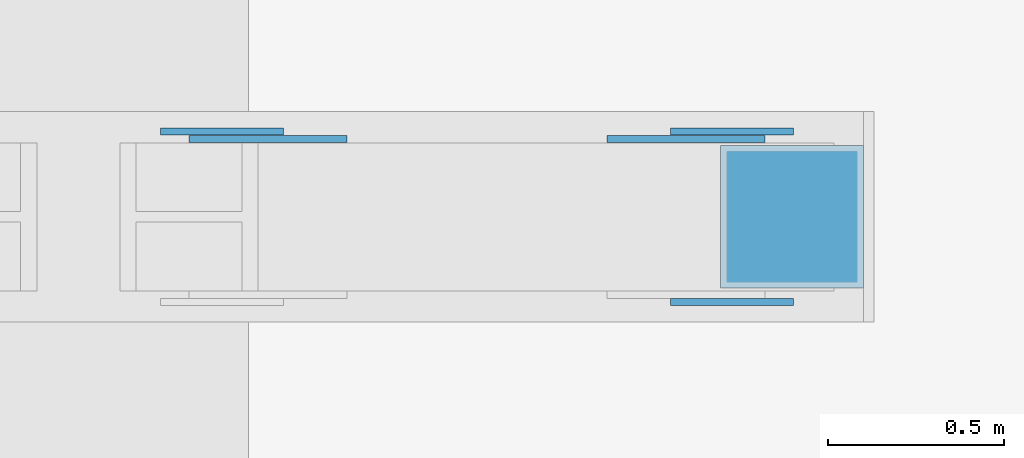
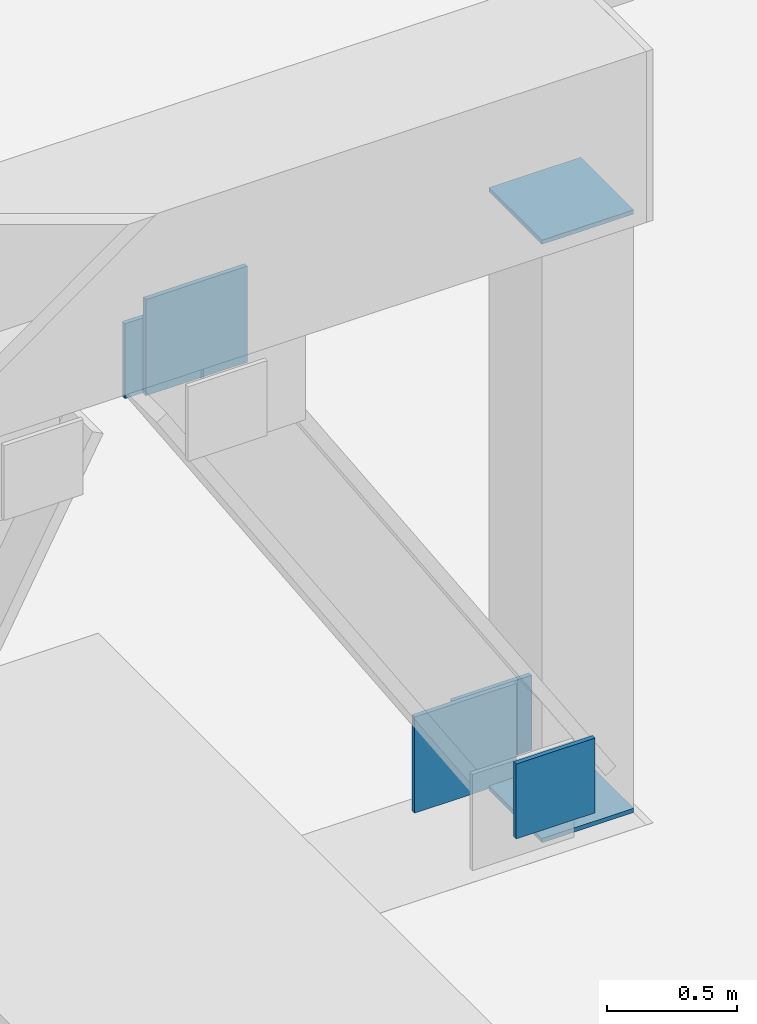
# One storey, part 16 of 21: 7 discrete accessories.
"""IFC4 building model written with IfcOpenShell, lengths in metres."""

import ifcopenshell
import ifcopenshell.guid

model = None  # the IFC model being written
_history = None  # IfcOwnerHistory: only IFC2X3 demands one
_inside = {}  # id of a spatial element -> (the spatial element, [elements in it])
_under = {}  # id of a project, library or spatial element -> (it, [spatial elements below it])
_declared = {}  # id of a project -> (the project, [libraries it declares])
_typed = {}  # id of a type object -> (the type object, [elements of that type])
_made_of = {}  # id of a material, layer set ... -> (it, [elements and type objects made of it])


def new_model(schema):
    """Start an empty IFC model of exactly this schema.

    Asked for "IFC4X3", IfcOpenShell would pick the latest addendum, in which some entities
    have other attributes; the version numbers below select the first issue.
    IFC2X3 requires an IfcOwnerHistory on every rooted entity: one is made here for all.
    """
    global model, _history
    if schema == "IFC4X3":
        model = ifcopenshell.file(schema_version=(4, 3, 0, 0))
    else:
        model = ifcopenshell.file(schema=schema)
    _inside.clear()
    _under.clear()
    _declared.clear()
    _typed.clear()
    _made_of.clear()
    _history = None
    if model.schema == "IFC2X3":
        org = make("IfcOrganization", Name="unknown")
        user = make(
            "IfcPersonAndOrganization",
            ThePerson=make("IfcPerson", FamilyName="unknown"),
            TheOrganization=org,
        )
        app = make(
            "IfcApplication",
            ApplicationDeveloper=org,
            Version="unknown",
            ApplicationFullName="unknown",
            ApplicationIdentifier="unknown",
        )
        _history = make(
            "IfcOwnerHistory",
            OwningUser=user,
            OwningApplication=app,
            ChangeAction="ADDED",
            CreationDate=0,
        )
    return model


def make(cls, **values):
    """One entity of the class cls with the attributes given. An attribute that is None is left unset."""
    return model.create_entity(
        cls, **{name: value for name, value in values.items() if value is not None}
    )


def rooted(cls, **values):
    """An entity with a GlobalId (a new one), such as an element, a storey or a relation."""
    return make(cls, GlobalId=ifcopenshell.guid.new(), OwnerHistory=_history, **values)


def si_unit(unit_type, name, prefix=None):
    """IfcSIUnit, for example si_unit("LENGTHUNIT", "METRE", prefix="MILLI")."""
    return make("IfcSIUnit", UnitType=unit_type, Prefix=prefix, Name=name)


def assignment(units):
    """IfcUnitAssignment: the units of a project."""
    return None if units is None else make("IfcUnitAssignment", Units=units)


def point(xyz):
    """IfcCartesianPoint."""
    return None if xyz is None else make("IfcCartesianPoint", Coordinates=xyz)


def direction(xyz):
    """IfcDirection."""
    return None if xyz is None else make("IfcDirection", DirectionRatios=xyz)


def frame(location, z_axis=None, x_axis=None):
    """IfcAxis2Placement3D, a coordinate frame: its origin and axes. An axis left out is left unset."""
    return make(
        "IfcAxis2Placement3D",
        Location=point(location),
        Axis=direction(z_axis),
        RefDirection=direction(x_axis),
    )


def frame_2d(location, x_axis=None):
    """IfcAxis2Placement2D, a coordinate frame in the plane: its origin and x axis."""
    return make(
        "IfcAxis2Placement2D", Location=point(location), RefDirection=direction(x_axis)
    )


def origin():
    """The frame at (0, 0, 0) with its axes left unset."""
    return frame((0.0, 0.0, 0.0))


def origin_2d():
    """The frame at (0, 0) in the plane with its x axis left unset."""
    return frame_2d((0.0, 0.0))


def place(relative_to, where):
    """IfcLocalPlacement: puts the frame where relative to a parent placement (None: the world)."""
    return make(
        "IfcLocalPlacement", PlacementRelTo=relative_to, RelativePlacement=where
    )


def context(
    kind, dimensions, precision=None, world=None, true_north=None, identifier=None
):
    """IfcGeometricRepresentationContext, for example the 3D "Model" context."""
    return make(
        "IfcGeometricRepresentationContext",
        ContextIdentifier=identifier,
        ContextType=kind,
        CoordinateSpaceDimension=dimensions,
        Precision=precision,
        WorldCoordinateSystem=world,
        TrueNorth=true_north,
    )


def subcontext(parent, identifier, kind, view, scale=None):
    """IfcGeometricRepresentationSubContext, for example "Body" below "Model"."""
    return make(
        "IfcGeometricRepresentationSubContext",
        ContextIdentifier=identifier,
        ContextType=kind,
        ParentContext=parent,
        TargetScale=scale,
        TargetView=view,
    )


def project(units=None, contexts=None):
    """IfcProject with its units and contexts."""
    return rooted(
        "IfcProject",
        Name="project",
        RepresentationContexts=contexts,
        UnitsInContext=assignment(units),
    )


def spatial(cls, under=None, at=None, **own):
    """A site, building, storey or space (cls), placed at a placement, below another one or the project."""
    s = rooted(cls, ObjectPlacement=at, **own)
    if under is not None:
        _under.setdefault(under.id(), (under, []))[1].append(s)
    return s


def profile(cls, at=None, kind="AREA", **sizes):
    """A parametric profile (cls). Its sizes go by their IFC names, for example OverallWidth=200.0."""
    return make(cls, ProfileType=kind, Position=at, **sizes)


def rectangle(**sizes):
    """IfcRectangleProfileDef."""
    return profile("IfcRectangleProfileDef", **sizes)


def extrude(swept, where, along, depth):
    """IfcExtrudedAreaSolid: the profile swept, set in the frame where, extruded along a direction by depth."""
    return make(
        "IfcExtrudedAreaSolid",
        SweptArea=swept,
        Position=where,
        ExtrudedDirection=direction(along),
        Depth=depth,
    )


def shape(context_of_items, identifier, shape_type, items):
    """IfcShapeRepresentation: the items that make up one representation, for example the "Body"."""
    return make(
        "IfcShapeRepresentation",
        ContextOfItems=context_of_items,
        RepresentationIdentifier=identifier,
        RepresentationType=shape_type,
        Items=items,
    )


def made_of(thing, what):
    """Note that an element or type object is made of a material, layer set ...; save() writes the relation."""
    if what is not None:
        _made_of.setdefault(what.id(), (what, []))[1].append(thing)
    return thing


def element(
    cls,
    number,
    at=None,
    inside=None,
    cuts=None,
    type_object=None,
    material=None,
    context=None,
    identifier="Body",
    shape_type=None,
    held_by="IfcProductDefinitionShape",
    body=None,
    shapes=None,
    **own,
):
    """One element of the class cls, such as IfcWall. Its Tag is "e" and its number.

    at: its placement. inside: the storey or other place that contains it. cuts: it is an
    opening in that element (IfcRelVoidsElement). A single representation is given by context,
    identifier, shape_type and body (its items); several are given by shapes. held_by: the class
    of the entity that holds the representations. save() writes the other relations.
    """
    e = rooted(cls, Tag="e%d" % number, ObjectPlacement=at, **own)
    if body is not None:
        shapes = [shape(context, identifier, shape_type, body)]
    if shapes is not None:
        e.Representation = make(held_by, Representations=shapes)
    if inside is not None:
        _inside.setdefault(inside.id(), (inside, []))[1].append(e)
    if cuts is not None:
        rooted(
            "IfcRelVoidsElement", RelatingBuildingElement=cuts, RelatedOpeningElement=e
        )
    if type_object is not None:
        _typed.setdefault(type_object.id(), (type_object, []))[1].append(e)
    return made_of(e, material)


def aggregate(whole, parts):
    """IfcRelAggregates: a whole, such as a stair, and the parts it consists of."""
    return rooted("IfcRelAggregates", RelatingObject=whole, RelatedObjects=parts)


def save(model, path):
    """Write the relations noted so far, then the file.

    IfcRelAggregates (storeys below a building ...), IfcRelContainedInSpatialStructure (elements
    in a storey), IfcRelDefinesByType, IfcRelAssociatesMaterial and IfcRelDeclares: one each for
    every whole, place, type object, material and project.
    """
    for whole, parts in _under.values():
        aggregate(whole, parts)
    for where, things in _inside.values():
        rooted(
            "IfcRelContainedInSpatialStructure",
            RelatedElements=things,
            RelatingStructure=where,
        )
    for kind, things in _typed.values():
        rooted("IfcRelDefinesByType", RelatedObjects=things, RelatingType=kind)
    for what, things in _made_of.values():
        rooted("IfcRelAssociatesMaterial", RelatedObjects=things, RelatingMaterial=what)
    for by, libraries in _declared.values():
        rooted("IfcRelDeclares", RelatingContext=by, RelatedDefinitions=libraries)
    model.write(path)


model = new_model("IFC4")

# Units and contexts
model_context = context("Model", 3, precision=1e-05, world=origin(), true_north=direction((0.0, 1.0)))
body_context = subcontext(model_context, "Body", "Model", "MODEL_VIEW")
ifc_project = project(units=[si_unit("LENGTHUNIT", "METRE"), si_unit("AREAUNIT", "SQUARE_METRE"), si_unit("VOLUMEUNIT", "CUBIC_METRE"), si_unit("PLANEANGLEUNIT", "RADIAN"), si_unit("MASSUNIT", "GRAM", prefix="KILO")], contexts=[model_context])

# Site, building, storey
site_placement = place(None, origin())
site = spatial("IfcSite", under=ifc_project, at=site_placement, CompositionType="ELEMENT")
building_placement = place(site_placement, origin())
building = spatial("IfcBuilding", under=site, at=building_placement, Name="Vidyagriha Tower", CompositionType="ELEMENT")
storey_placement = place(building_placement, frame((0.0, 0.0, 203.699951171875)))
storey = spatial("IfcBuildingStorey", under=building, at=storey_placement, Name="L52", CompositionType="ELEMENT", Elevation=203.699951171875)

# Discrete accessories
for number, where, name in (
    (1, (32.3046875, 11.221923828125, 2.3701171875), "Truss gusset plate ASTM A572 Grade 50 20mm"),
    (2, (33.4951171875, 11.221923828125, 0.0), "Truss gusset plate ASTM A572 Grade 50 20mm"),
):
    element("IfcDiscreteAccessory", number, at=place(storey_placement, frame(where)), inside=storey, Name=name, ObjectType="GUSSET PLATE", PredefinedType="USERDEFINED", context=body_context, shape_type="SweptSolid", body=[
        extrude(rectangle(XDim=0.449951171875, YDim=0.02001953125, at=origin_2d()), origin(), (0.0, 0.0, 1.0), 0.449951171875),
    ])
discrete_accessory_placement = place(storey_placement, frame((32.174072265625, 11.242431640625, 2.372314453125), z_axis=(0.0, 0.0, 1.0), x_axis=(-1.0, 0.0, 0.0)))
element("IfcDiscreteAccessory", 3, at=discrete_accessory_placement, inside=storey, Name="End plate ASTM A572 Grade 50 20mm", ObjectType="END PLATE", PredefinedType="USERDEFINED", context=body_context, shape_type="SweptSolid", body=[
    extrude(rectangle(XDim=0.35009765625, YDim=0.02001953125, at=origin_2d()), origin(), (0.0, 0.0, 1.0), 0.35009765625),
])
for number, where, name in (
    (4, (33.6259765625, 11.242431640625, 0.09765625), "End plate ASTM A572 Grade 50 20mm"),
    (5, (33.6259765625, 10.757568359375, 0.09765625), "End plate ASTM A572 Grade 50 20mm"),
):
    element("IfcDiscreteAccessory", number, at=place(storey_placement, frame(where)), inside=storey, Name=name, ObjectType="END PLATE", PredefinedType="USERDEFINED", context=body_context, shape_type="SweptSolid", body=[
        extrude(rectangle(XDim=0.35009765625, YDim=0.02001953125, at=origin_2d()), origin(), (0.0, 0.0, 1.0), 0.35009765625),
    ])
for number, where, name in (
    (6, (33.796875, 11.0, -0.000244140625), "End plate ASTM A572 Grade 50 20mm"),
    (7, (33.796875, 11.0, 2.80029296875), "End plate ASTM A572 Grade 50 20mm"),
):
    element("IfcDiscreteAccessory", number, at=place(storey_placement, frame(where)), inside=storey, Name=name, ObjectType="END PLATE", PredefinedType="USERDEFINED", context=body_context, shape_type="SweptSolid", body=[
        extrude(rectangle(XDim=0.406494140625, YDim=0.406494140625, at=origin_2d()), origin(), (0.0, 0.0, 1.0), 0.02001953125),
    ])

save(model, "model.ifc")
